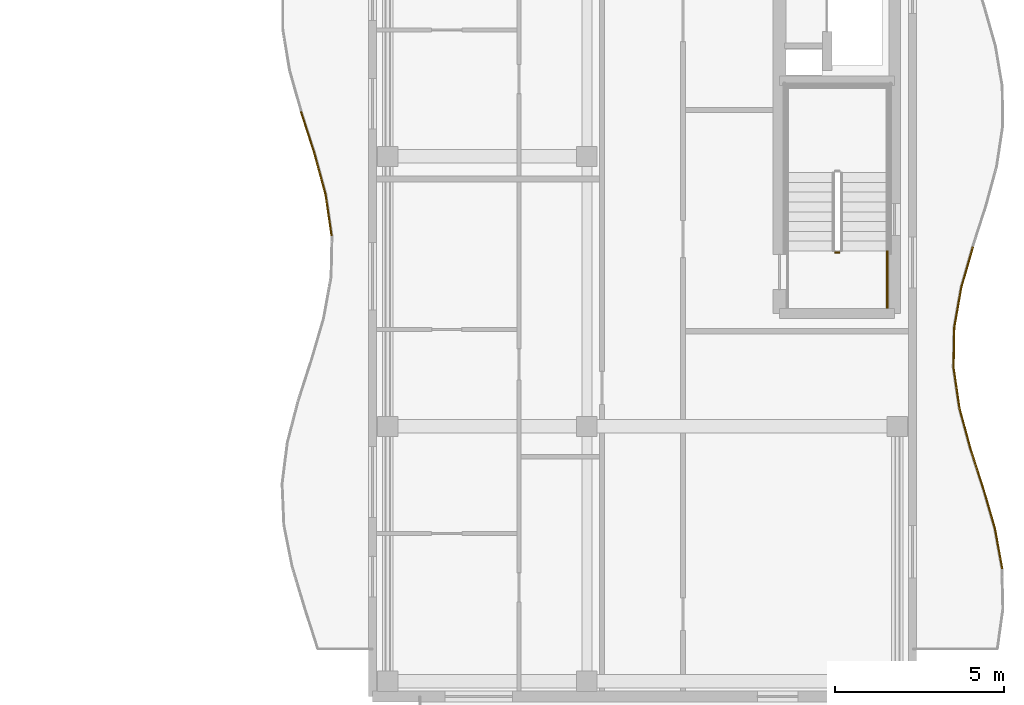
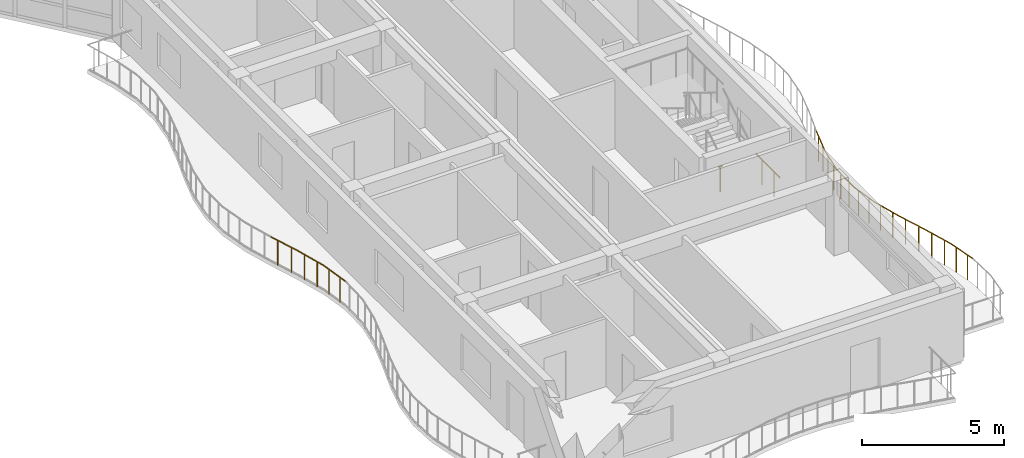
# One storey, part 70 of 76: 13 railings.
"""IFC4 building model written with IfcOpenShell, lengths in metres."""

from ifc_helpers import new_model, si_unit, direction, frame, origin, origin_2d, place, context, subcontext, project, spatial, circle, extrude, material, type_object, element, save


model = new_model("IFC4")

# Units and contexts
model_context = context("Model", 3, precision=1e-05, world=origin(), true_north=direction((0.0, 1.0)))
body_context = subcontext(model_context, "Body", "Model", "MODEL_VIEW")
ifc_project = project(units=[si_unit("LENGTHUNIT", "METRE"), si_unit("AREAUNIT", "SQUARE_METRE"), si_unit("VOLUMEUNIT", "CUBIC_METRE"), si_unit("PLANEANGLEUNIT", "RADIAN"), si_unit("MASSUNIT", "GRAM", prefix="KILO")], contexts=[model_context])

# Site, building, storey
site_placement = place(None, origin())
site = spatial("IfcSite", under=ifc_project, at=site_placement, CompositionType="ELEMENT")
building_placement = place(site_placement, origin())
building = spatial("IfcBuilding", under=site, at=building_placement, Name="Keldmere Railside Commons", CompositionType="ELEMENT")
storey_placement = place(building_placement, frame((0.0, 0.0, 13.760009765625)))
storey = spatial("IfcBuildingStorey", under=building, at=storey_placement, Name="L04", CompositionType="ELEMENT", Elevation=13.760009765625)

# Railings
ifc_material = material(Name="Steel F-24 (S235)", Category="steel")
railing_type_1 = type_object("IfcRailingType", Name="Balcony & Terrace Steel Balustrade 1100", PredefinedType="BALUSTRADE", material=ifc_material)
railing_1_placement = place(storey_placement, frame((166.78515625, 69.64990234375, 0.0)))
element("IfcRailing", 1, at=railing_1_placement, inside=storey, type_object=railing_type_1, Name="GR-1 GRD-L04-3597", PredefinedType="BALUSTRADE", context=body_context, shape_type="SweptSolid", body=[
    extrude(circle(Radius=0.02392578125, at=origin_2d()), frame((0.0, 0.0, 1.076171875), z_axis=(-0.143960913413, 0.989583374663, 0.0), x_axis=(-0.989583374663, -0.143960913413, 0.0)), (0.0, 0.0, 1.0), 1.238037109375),
    extrude(circle(Radius=0.02099609375, at=origin_2d()), frame((-0.04443359375, 0.30615234375, 0.0)), (0.0, 0.0, 1.0), 1.048095703125),
    extrude(circle(Radius=0.02099609375, at=origin_2d()), frame((-0.1337890625, 0.9189453125, 0.0)), (0.0, 0.0, 1.0), 1.048095703125),
])
railing_2_placement = place(storey_placement, frame((166.60693359375, 70.875, 0.0)))
element("IfcRailing", 2, at=railing_2_placement, inside=storey, type_object=railing_type_1, Name="GR-1 GRD-L04-3598", PredefinedType="BALUSTRADE", context=body_context, shape_type="SweptSolid", body=[
    extrude(circle(Radius=0.02392578125, at=origin_2d()), frame((0.0, 0.0, 1.076171875), z_axis=(-0.262840813852, 0.964839212809, 0.0), x_axis=(-0.964839212809, -0.262840813852, 0.0)), (0.0, 0.0, 1.0), 1.269775390625),
    extrude(circle(Radius=0.02099609375, at=origin_2d()), frame((-0.08349609375, 0.30615234375, 0.0)), (0.0, 0.0, 1.0), 1.048095703125),
    extrude(circle(Radius=0.02099609375, at=origin_2d()), frame((-0.250244140625, 0.9189453125, 0.0)), (0.0, 0.0, 1.0), 1.048095703125),
])
railing_3_placement = place(storey_placement, frame((166.273193359375, 72.10009765625, 0.0)))
element("IfcRailing", 3, at=railing_3_placement, inside=storey, type_object=railing_type_1, Name="GR-1 GRD-L04-3599", PredefinedType="BALUSTRADE", context=body_context, shape_type="SweptSolid", body=[
    extrude(circle(Radius=0.02392578125, at=origin_2d()), frame((0.0, 0.0, 1.076171875), z_axis=(-0.307451620447, 0.951563713623, 0.0), x_axis=(-0.951563713623, -0.307451620447, 0.0)), (0.0, 0.0, 1.0), 1.287109375),
    extrude(circle(Radius=0.02099609375, at=origin_2d()), frame((-0.098876953125, 0.30615234375, 0.0)), (0.0, 0.0, 1.0), 1.048095703125),
    extrude(circle(Radius=0.02099609375, at=origin_2d()), frame((-0.296875, 0.918701171875, 0.0)), (0.0, 0.0, 1.0), 1.048095703125),
])
railing_4_placement = place(storey_placement, frame((186.658203125, 59.783203125, 0.0)))
element("IfcRailing", 4, at=railing_4_placement, inside=storey, type_object=railing_type_1, Name="GR-1 GRD-L04-3615", PredefinedType="BALUSTRADE", context=body_context, shape_type="SweptSolid", body=[
    extrude(circle(Radius=0.02392578125, at=origin_2d()), frame((0.0, 0.0, 1.076171875), z_axis=(-0.178761291392, 0.983892474156, 0.0), x_axis=(-0.983892474156, -0.178761291392, 0.0)), (0.0, 0.0, 1.0), 1.21142578125),
    extrude(circle(Radius=0.02099609375, at=origin_2d()), frame((-0.05419921875, 0.2978515625, 0.0)), (0.0, 0.0, 1.0), 1.048095703125),
    extrude(circle(Radius=0.02099609375, at=origin_2d()), frame((-0.162353515625, 0.89404296875, 0.0)), (0.0, 0.0, 1.0), 1.048095703125),
])
railing_5_placement = place(storey_placement, frame((186.441650390625, 60.97509765625, 0.0)))
element("IfcRailing", 5, at=railing_5_placement, inside=storey, type_object=railing_type_1, Name="GR-1 GRD-L04-3616", PredefinedType="BALUSTRADE", context=body_context, shape_type="SweptSolid", body=[
    extrude(circle(Radius=0.02392578125, at=origin_2d()), frame((0.0, 0.0, 1.076171875), z_axis=(-0.279161346795, 0.960244209801, 0.0), x_axis=(-0.960244209801, -0.279161346795, 0.0)), (0.0, 0.0, 1.0), 1.240966796875),
    extrude(circle(Radius=0.02099609375, at=origin_2d()), frame((-0.086669921875, 0.2978515625, 0.0)), (0.0, 0.0, 1.0), 1.048095703125),
    extrude(circle(Radius=0.02099609375, at=origin_2d()), frame((-0.259765625, 0.893798828125, 0.0)), (0.0, 0.0, 1.0), 1.048095703125),
])
railing_6_placement = place(storey_placement, frame((186.09521484375, 62.166748046875, 0.0)))
element("IfcRailing", 6, at=railing_6_placement, inside=storey, type_object=railing_type_1, Name="GR-1 GRD-L04-3617", PredefinedType="BALUSTRADE", context=body_context, shape_type="SweptSolid", body=[
    extrude(circle(Radius=0.02392578125, at=origin_2d()), frame((0.0, 0.0, 1.076171875), z_axis=(-0.307264804156, 0.951624053987, 0.0), x_axis=(-0.951624053987, -0.307264804156, 0.0)), (0.0, 0.0, 1.0), 1.252197265625),
    extrude(circle(Radius=0.02099609375, at=origin_2d()), frame((-0.09619140625, 0.2978515625, 0.0)), (0.0, 0.0, 1.0), 1.048095703125),
    extrude(circle(Radius=0.02099609375, at=origin_2d()), frame((-0.28857421875, 0.893798828125, 0.0)), (0.0, 0.0, 1.0), 1.048095703125),
])
railing_7_placement = place(storey_placement, frame((185.71044921875, 63.3583984375, 0.0)))
element("IfcRailing", 7, at=railing_7_placement, inside=storey, type_object=railing_type_1, Name="GR-1 GRD-L04-3618", PredefinedType="BALUSTRADE", context=body_context, shape_type="SweptSolid", body=[
    extrude(circle(Radius=0.02392578125, at=origin_2d()), frame((0.0, 0.0, 1.076171875), z_axis=(-0.26050545361, 0.965472375907, 0.0), x_axis=(-0.965472375907, -0.26050545361, 0.0)), (0.0, 0.0, 1.0), 1.234375),
    extrude(circle(Radius=0.02099609375, at=origin_2d()), frame((-0.080322265625, 0.2978515625, 0.0)), (0.0, 0.0, 1.0), 1.048095703125),
    extrude(circle(Radius=0.02099609375, at=origin_2d()), frame((-0.2412109375, 0.893798828125, 0.0)), (0.0, 0.0, 1.0), 1.048095703125),
])
railing_8_placement = place(storey_placement, frame((185.388916015625, 64.550048828125, 0.0)))
element("IfcRailing", 8, at=railing_8_placement, inside=storey, type_object=railing_type_1, Name="GR-1 GRD-L04-3619", PredefinedType="BALUSTRADE", context=body_context, shape_type="SweptSolid", body=[
    extrude(circle(Radius=0.02392578125, at=origin_2d()), frame((0.0, 0.0, 1.076171875), z_axis=(-0.143748515353, 0.989614250268, 0.0), x_axis=(-0.989614250268, -0.143748515353, 0.0)), (0.0, 0.0, 1.0), 1.2041015625),
    extrude(circle(Radius=0.02099609375, at=origin_2d()), frame((-0.043212890625, 0.2978515625, 0.0)), (0.0, 0.0, 1.0), 1.048095703125),
    extrude(circle(Radius=0.02099609375, at=origin_2d()), frame((-0.1298828125, 0.893798828125, 0.0)), (0.0, 0.0, 1.0), 1.048095703125),
])
railing_9_placement = place(storey_placement, frame((185.2158203125, 65.74169921875, 0.0)))
element("IfcRailing", 9, at=railing_9_placement, inside=storey, type_object=railing_type_1, Name="GR-1 GRD-L04-3620", PredefinedType="BALUSTRADE", context=body_context, shape_type="SweptSolid", body=[
    extrude(circle(Radius=0.02392578125, at=origin_2d()), frame((0.0, 0.0, 1.076171875), z_axis=(0.017616606052, 0.999844815555, 0.0), x_axis=(-0.999844815555, 0.017616606052, 0.0)), (0.0, 0.0, 1.0), 1.19189453125),
    extrude(circle(Radius=0.02099609375, at=origin_2d()), frame((0.00537109375, 0.2978515625, 0.0)), (0.0, 0.0, 1.0), 1.048095703125),
    extrude(circle(Radius=0.02099609375, at=origin_2d()), frame((0.015625, 0.893798828125, 0.0)), (0.0, 0.0, 1.0), 1.048095703125),
])
railing_10_placement = place(storey_placement, frame((185.23681640625, 66.933349609375, 0.0)))
element("IfcRailing", 10, at=railing_10_placement, inside=storey, type_object=railing_type_1, Name="GR-1 GRD-L04-3621", PredefinedType="BALUSTRADE", context=body_context, shape_type="SweptSolid", body=[
    extrude(circle(Radius=0.02392578125, at=origin_2d()), frame((0.0, 0.0, 1.076171875), z_axis=(0.172933420151, 0.984933516637, 0.0), x_axis=(-0.984933516637, 0.172933420151, 0.0)), (0.0, 0.0, 1.0), 1.2099609375),
    extrude(circle(Radius=0.02099609375, at=origin_2d()), frame((0.05224609375, 0.2978515625, 0.0)), (0.0, 0.0, 1.0), 1.048095703125),
    extrude(circle(Radius=0.02099609375, at=origin_2d()), frame((0.156982421875, 0.893798828125, 0.0)), (0.0, 0.0, 1.0), 1.048095703125),
])
railing_11_placement = place(storey_placement, frame((185.446044921875, 68.125, 0.0)))
element("IfcRailing", 11, at=railing_11_placement, inside=storey, type_object=railing_type_1, Name="GR-1 GRD-L04-3622", PredefinedType="BALUSTRADE", context=body_context, shape_type="SweptSolid", body=[
    extrude(circle(Radius=0.02392578125, at=origin_2d()), frame((0.0, 0.0, 1.076171875), z_axis=(0.276436998002, 0.9610320422, 0.0), x_axis=(-0.9610320422, 0.276436998002, 0.0)), (0.0, 0.0, 1.0), 1.239990234375),
    extrude(circle(Radius=0.02099609375, at=origin_2d()), frame((0.085693359375, 0.2978515625, 0.0)), (0.0, 0.0, 1.0), 1.048095703125),
    extrude(circle(Radius=0.02099609375, at=origin_2d()), frame((0.257080078125, 0.893798828125, 0.0)), (0.0, 0.0, 1.0), 1.048095703125),
])
railing_type_2 = type_object("IfcRailingType", Name="Stair Well Steel Guardrail 1100", PredefinedType="BALUSTRADE", material=ifc_material)
railing_12_placement = place(storey_placement, frame((181.85009765625, 69.14990234375, 0.0)))
element("IfcRailing", 12, at=railing_12_placement, inside=storey, type_object=railing_type_2, Name="L04 ST-A1 stair guard 7", PredefinedType="BALUSTRADE", context=body_context, shape_type="SweptSolid", body=[
    extrude(circle(Radius=0.02392578125, at=origin_2d()), frame((0.0, 0.0, 1.076171875), z_axis=(-1.0, 0.0, 0.0), x_axis=(0.0, -1.0, 0.0)), (0.0, 0.0, 1.0), 0.150146484375),
    extrude(circle(Radius=0.02099609375, at=origin_2d()), frame((-0.0751953125, 0.0, 0.0)), (0.0, 0.0, 1.0), 1.048095703125),
])
railing_13_placement = place(storey_placement, frame((183.25, 67.5, 0.0)))
element("IfcRailing", 13, at=railing_13_placement, inside=storey, type_object=railing_type_2, Name="L04 ST-A1 stair guard 8", PredefinedType="BALUSTRADE", context=body_context, shape_type="SweptSolid", body=[
    extrude(circle(Radius=0.02392578125, at=origin_2d()), frame((0.0, 0.0, 1.076171875), z_axis=(0.0, 1.0, 0.0), x_axis=(-1.0, 0.0, 0.0)), (0.0, 0.0, 1.0), 1.699951171875),
    extrude(circle(Radius=0.02099609375, at=origin_2d()), frame((0.0, 0.425048828125, 0.0)), (0.0, 0.0, 1.0), 1.048095703125),
    extrude(circle(Radius=0.02099609375, at=origin_2d()), frame((0.0, 1.27490234375, 0.0)), (0.0, 0.0, 1.0), 1.048095703125),
])

save(model, "model.ifc")
